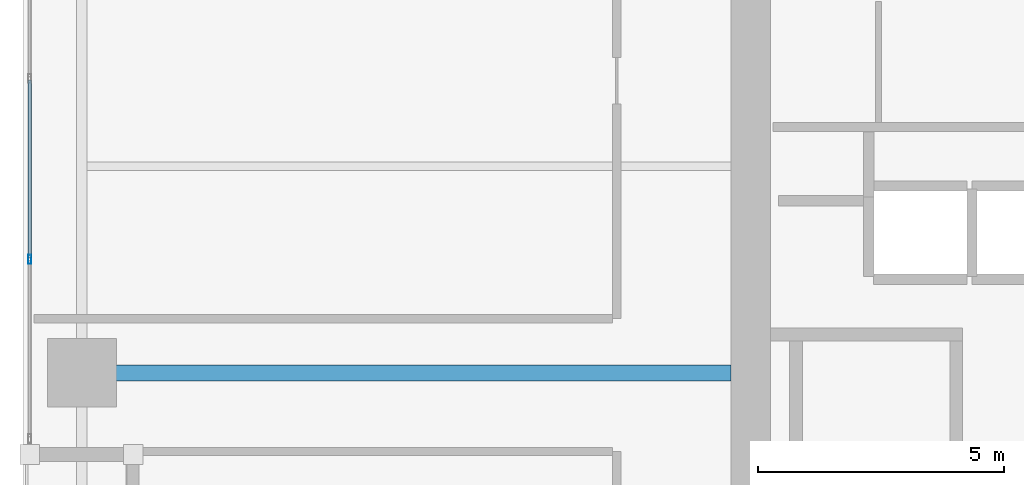
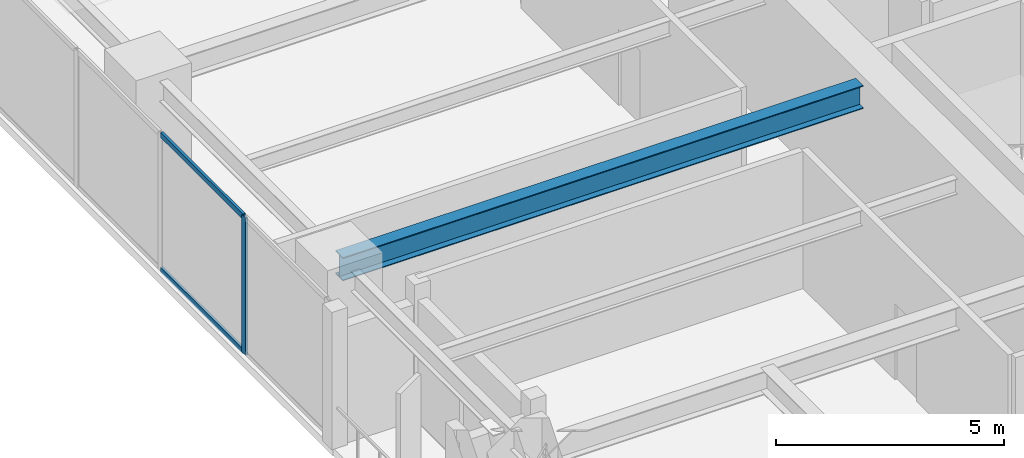
# One storey, part 4 of 31: 3 members, 1 beam, 1 element without a shape of its own.
"""IFC4 building model written with IfcOpenShell, lengths in metres."""

from ifc_helpers import new_model, si_unit, direction, frame, origin, origin_2d, place, context, subcontext, project, spatial, hollow_rectangle, i_section, extrude, material, layer, layer_set, material_profile, profile_set, type_object, element, aggregate, save


model = new_model("IFC4")

# Units and contexts
model_context = context("Model", 3, precision=1e-05, world=origin(), true_north=direction((0.0, 1.0)))
body_context = subcontext(model_context, "Body", "Model", "MODEL_VIEW")
ifc_project = project(units=[si_unit("LENGTHUNIT", "METRE"), si_unit("AREAUNIT", "SQUARE_METRE"), si_unit("VOLUMEUNIT", "CUBIC_METRE"), si_unit("PLANEANGLEUNIT", "RADIAN"), si_unit("MASSUNIT", "GRAM", prefix="KILO")], contexts=[model_context])

# Site, building, storey
site_placement = place(None, origin())
site = spatial("IfcSite", under=ifc_project, at=site_placement, CompositionType="ELEMENT")
building_placement = place(site_placement, origin())
building = spatial("IfcBuilding", under=site, at=building_placement, Name="Kiyonajd Concourse Tower", CompositionType="ELEMENT")
storey_placement = place(building_placement, frame((0.0, 0.0, 158.39990234375)))
storey = spatial("IfcBuildingStorey", under=building, at=storey_placement, Name="L40", CompositionType="ELEMENT", Elevation=158.39990234375)

# Beam
ifc_material_1 = material(Name="Steel ASTM A992 Grade 50", Category="steel")
ifc_material_profile_1 = material_profile(ifc_material_1, i_section(OverallWidth=0.326904296875, OverallDepth=0.6220703125, WebThickness=0.015380859375, FlangeThickness=0.0244140625, at=origin_2d()), Name="W610X195")
ifc_profile_set_1 = profile_set([ifc_material_profile_1], Name="Steel ASTM A992 Grade 50")
beam_type = type_object("IfcBeamType", Name="BM-TWR-610A", PredefinedType="BEAM", material=ifc_profile_set_1)
beam_placement = place(storey_placement, frame((19.199951171875, 36.0, 3.369140625), z_axis=(1.0, 0.0, 0.0), x_axis=(0.0, 1.0, 0.0)))
element("IfcBeam", 1, at=beam_placement, inside=storey, type_object=beam_type, Name="L40 West Lease Girder", PredefinedType="BEAM", context=body_context, shape_type="SweptSolid", body=[
    extrude(i_section(OverallWidth=0.326904296875, OverallDepth=0.6220703125, WebThickness=0.015380859375, FlangeThickness=0.0244140625, at=origin_2d()), origin(), (0.0, 0.0, 1.0), 13.199951171875),
])

# Curtain wall, members
ifc_material_2 = material(Name="Thermally Broken Anodised Aluminium", Category="aluminium")
ifc_layer = layer(ifc_material_2, 0.179931640625)
ifc_layer_set = layer_set([ifc_layer], Name="Thermally Broken Anodised Aluminium")
curtain_wall_type = type_object("IfcCurtainWallType", Name="CW-SYS-03", PredefinedType="NOTDEFINED", material=ifc_layer_set)
curtain_wall_placement = place(storey_placement, origin())
curtain_wall = element("IfcCurtainWall", 2, at=curtain_wall_placement, inside=storey, type_object=curtain_wall_type, Name="L40 Unitised Curtain Wall CW3", PredefinedType="NOTDEFINED")
ifc_material_profile_2 = material_profile(ifc_material_2, hollow_rectangle(XDim=0.06494140625, YDim=0.179931640625, WallThickness=0.00390625, at=origin_2d()), Name="MULL-65x180")
ifc_profile_set_2 = profile_set([ifc_material_profile_2], Name="Thermally Broken Anodised Aluminium")
member_type_1 = type_object("IfcMemberType", Name="MB-CW-MULL1", PredefinedType="MULLION", material=ifc_profile_set_2)
member_1_placement = place(storey_placement, frame((18.139892578125, 38.306884765625, 0.0), z_axis=(0.0, 0.0, 1.0), x_axis=(-1.0, 0.0, 0.0)))
member_1 = element("IfcMember", 3, at=member_1_placement, type_object=member_type_1, Name="CW3 mullion 2", PredefinedType="MULLION", context=body_context, shape_type="SweptSolid", body=[
    extrude(hollow_rectangle(XDim=0.06494140625, YDim=0.179931640625, WallThickness=0.00390625, at=origin_2d()), origin(), (0.0, 0.0, 1.0), 3.68017578125),
])
ifc_material_profile_3 = material_profile(ifc_material_2, hollow_rectangle(XDim=0.06494140625, YDim=0.139892578125, WallThickness=0.00390625, at=origin_2d()), Name="TRAN-65x140")
ifc_profile_set_3 = profile_set([ifc_material_profile_3], Name="Thermally Broken Anodised Aluminium")
member_type_2 = type_object("IfcMemberType", Name="MB-CW-TRAN1", PredefinedType="USERDEFINED", material=ifc_profile_set_3)
member_2_placement = place(storey_placement, frame((18.139892578125, 38.33935546875, 0.03271484375), z_axis=(0.0, 1.0, 0.0), x_axis=(-1.0, 0.0, 0.0)))
member_2 = element("IfcMember", 4, at=member_2_placement, type_object=member_type_2, Name="CW3 transom 2.1", ObjectType="TRANSOM", PredefinedType="USERDEFINED", context=body_context, shape_type="SweptSolid", body=[
    extrude(hollow_rectangle(XDim=0.06494140625, YDim=0.139892578125, WallThickness=0.00390625, at=origin_2d()), origin(), (0.0, 0.0, 1.0), 3.612060546875),
])
member_3_placement = place(storey_placement, frame((18.139892578125, 38.33935546875, 3.647705078125), z_axis=(0.0, 1.0, 0.0), x_axis=(-1.0, 0.0, 0.0)))
member_3 = element("IfcMember", 5, at=member_3_placement, type_object=member_type_2, Name="CW3 transom 2.2", ObjectType="TRANSOM", PredefinedType="USERDEFINED", context=body_context, shape_type="SweptSolid", body=[
    extrude(hollow_rectangle(XDim=0.06494140625, YDim=0.139892578125, WallThickness=0.00390625, at=origin_2d()), origin(), (0.0, 0.0, 1.0), 3.612060546875),
])
aggregate(curtain_wall, [member_1, member_2, member_3])

save(model, "model.ifc")
